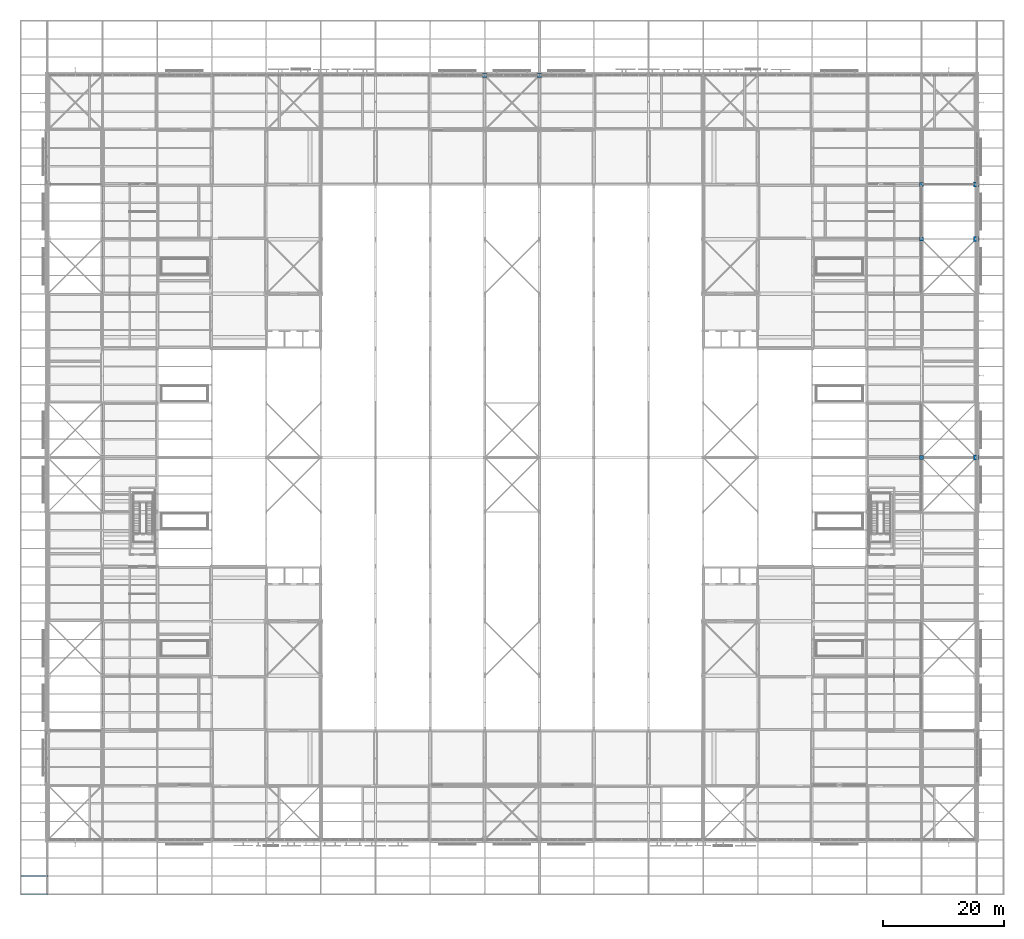
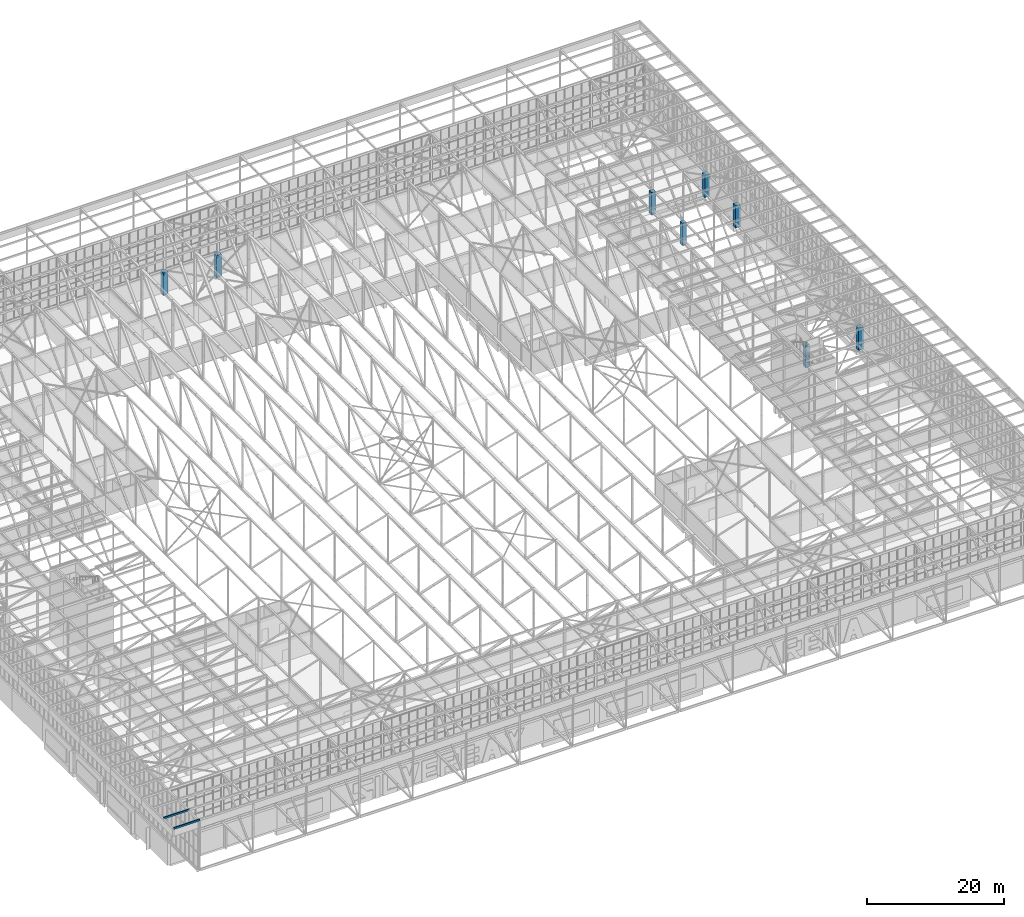
# One storey, part 7 of 646: 8 columns, 2 members.
"""IFC4 building model written with IfcOpenShell, lengths in metres."""

from ifc_helpers import new_model, si_unit, direction, frame, origin, origin_2d, place, context, subcontext, project, spatial, rectangle, hollow_rectangle, extrude, material, material_profile, profile_set, type_object, element, save


model = new_model("IFC4")

# Units and contexts
model_context = context("Model", 3, precision=1e-05, world=origin(), true_north=direction((0.0, 1.0)))
body_context = subcontext(model_context, "Body", "Model", "MODEL_VIEW")
ifc_project = project(units=[si_unit("LENGTHUNIT", "METRE"), si_unit("AREAUNIT", "SQUARE_METRE"), si_unit("VOLUMEUNIT", "CUBIC_METRE"), si_unit("PLANEANGLEUNIT", "RADIAN"), si_unit("MASSUNIT", "GRAM", prefix="KILO")], contexts=[model_context])

# Site, building, storey
site_placement = place(None, origin())
site = spatial("IfcSite", under=ifc_project, at=site_placement, CompositionType="ELEMENT")
building_placement = place(site_placement, origin())
building = spatial("IfcBuilding", under=site, at=building_placement, Name="Silverbay Arena", CompositionType="ELEMENT")
storey_placement = place(building_placement, frame((0.0, 0.0, 33.5)))
storey = spatial("IfcBuildingStorey", under=building, at=storey_placement, Name="L05", CompositionType="ELEMENT", Elevation=33.5)

# Columns
ifc_material_1 = material(Name="Concrete Grade C45", Category="concrete")
ifc_material_profile_1 = material_profile(ifc_material_1, rectangle(XDim=0.699951171875, YDim=0.699951171875, at=origin_2d()), Name="RC 700x700")
ifc_profile_set_1 = profile_set([ifc_material_profile_1], Name="Concrete Grade C45")
column_type_1 = type_object("IfcColumnType", Name="RC column 700x700", PredefinedType="COLUMN", material=ifc_profile_set_1)
for number, where, z_axis, x_axis, name in (
    (1, (198.0, 81.0, 0.0), (0.0, 0.0, 1.0), (1.0, 0.0, 0.0), "Column 23/K L05"),
    (2, (198.0, 117.0, 0.0), (0.0, 0.0, 1.0), (1.0, 0.0, 0.0), "Column 23/P L05"),
    (3, (198.0, 126.0, 0.0), (0.0, 0.0, 1.0), (1.0, 0.0, 0.0), "Column 23/Q L05"),
):
    element("IfcColumn", number, at=place(storey_placement, frame(where, z_axis=z_axis, x_axis=x_axis)), inside=storey, type_object=column_type_1, Name=name, PredefinedType="COLUMN", context=body_context, shape_type="SweptSolid", body=[
        extrude(rectangle(XDim=0.699951171875, YDim=0.699951171875, at=origin_2d()), origin(), (0.0, 0.0, 1.0), 4.0),
    ])
ifc_material_2 = material(Name="Concrete Grade C45", Category="concrete")
ifc_material_profile_2 = material_profile(ifc_material_2, rectangle(XDim=0.800048828125, YDim=0.800048828125, at=origin_2d()), Name="RC 800x800")
ifc_profile_set_2 = profile_set([ifc_material_profile_2], Name="Concrete Grade C45")
column_type_2 = type_object("IfcColumnType", Name="RC column 800x800", PredefinedType="COLUMN", material=ifc_profile_set_2)
for number, where, z_axis, x_axis, name in (
    (4, (126.0, 144.0, 0.0), (0.0, 0.0, 1.0), (1.0, 0.0, 0.0), "Column 15/S L05"),
    (5, (135.0, 144.0, 0.0), (0.0, 0.0, 1.0), (1.0, 0.0, 0.0), "Column 16/S L05"),
    (6, (207.0, 81.0, 0.0), (0.0, 0.0, 1.0), (1.0, 0.0, 0.0), "Column 24/K L05"),
    (7, (207.0, 117.0, 0.0), (0.0, 0.0, 1.0), (1.0, 0.0, 0.0), "Column 24/P L05"),
    (8, (207.0, 126.0, 0.0), (0.0, 0.0, 1.0), (1.0, 0.0, 0.0), "Column 24/Q L05"),
):
    element("IfcColumn", number, at=place(storey_placement, frame(where, z_axis=z_axis, x_axis=x_axis)), inside=storey, type_object=column_type_2, Name=name, PredefinedType="COLUMN", context=body_context, shape_type="SweptSolid", body=[
        extrude(rectangle(XDim=0.800048828125, YDim=0.800048828125, at=origin_2d()), origin(), (0.0, 0.0, 1.0), 4.0),
    ])

# Members
ifc_material_3 = material(Name="Steel S355", Category="steel")
ifc_material_profile_3 = material_profile(ifc_material_3, hollow_rectangle(XDim=0.199951171875, YDim=0.300048828125, WallThickness=0.008056640625, at=origin_2d()), Name="RHS 300x200x8")
ifc_profile_set_3 = profile_set([ifc_material_profile_3], Name="Steel S355")
member_type = type_object("IfcMemberType", Name="Purlin RHS 300x200x8", PredefinedType="PURLIN", material=ifc_profile_set_3)
for number, where, z_axis, x_axis, name in (
    (9, (49.60009765625, 9.0, 13.14990234375), (1.0, 0.0, 0.0), (0.0, 1.0, 0.0), "ROOF PURLIN west eave line 01"),
    (10, (49.60009765625, 12.0, 13.14990234375), (1.0, 0.0, 0.0), (0.0, 1.0, 0.0), "ROOF PURLIN west eave line 02"),
):
    element("IfcMember", number, at=place(storey_placement, frame(where, z_axis=z_axis, x_axis=x_axis)), inside=storey, type_object=member_type, Name=name, PredefinedType="PURLIN", context=body_context, shape_type="SweptSolid", body=[
        extrude(hollow_rectangle(XDim=0.199951171875, YDim=0.300048828125, WallThickness=0.008056640625, at=origin_2d()), origin(), (0.0, 0.0, 1.0), 4.39990234375),
    ])

save(model, "model.ifc")
